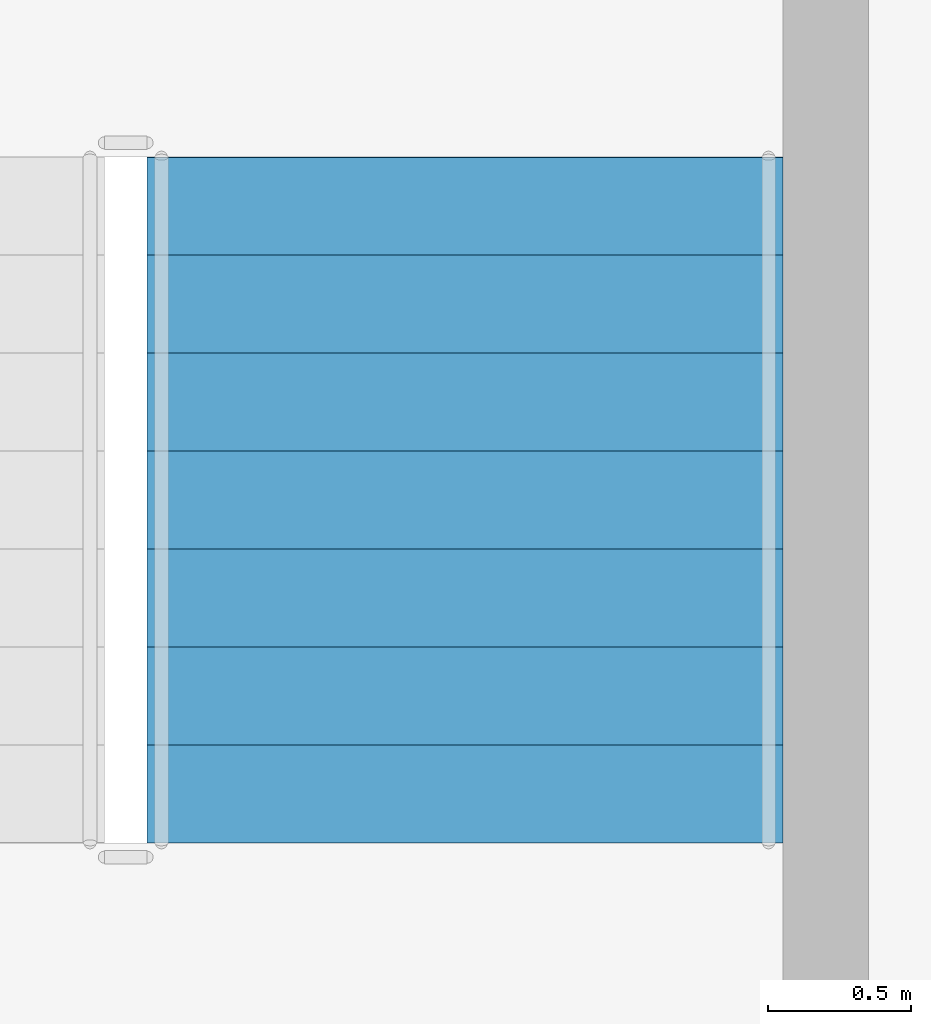
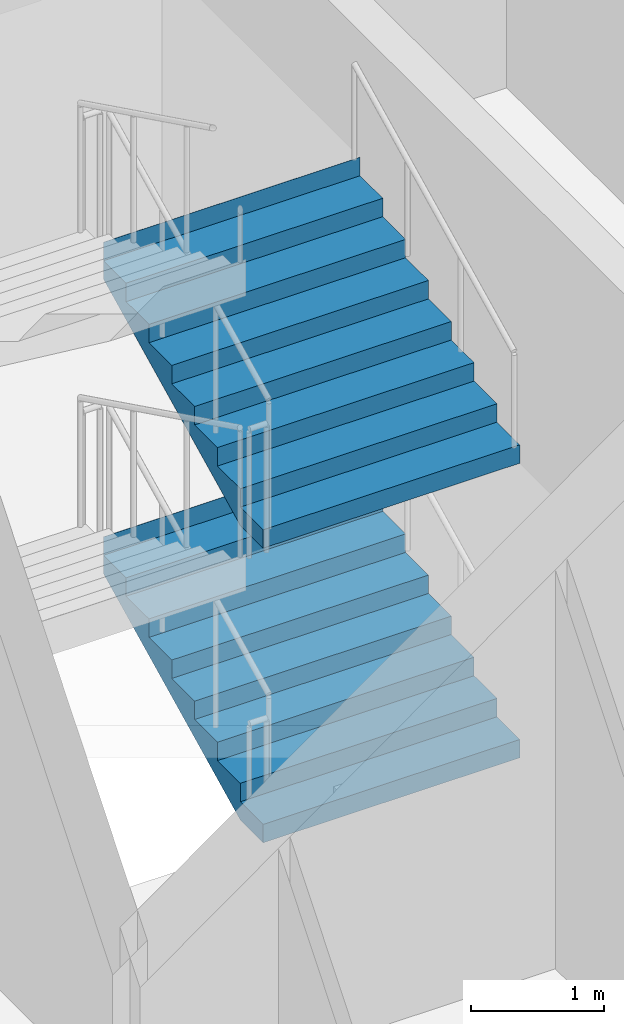
# One storey, part 37 of 42: 2 stair flights, 1 element without a shape of its own.
"""IFC4 building model written with IfcOpenShell, lengths in metres."""

import ifcopenshell
import ifcopenshell.guid

model = None  # the IFC model being written
_history = None  # IfcOwnerHistory: only IFC2X3 demands one
_inside = {}  # id of a spatial element -> (the spatial element, [elements in it])
_under = {}  # id of a project, library or spatial element -> (it, [spatial elements below it])
_declared = {}  # id of a project -> (the project, [libraries it declares])
_typed = {}  # id of a type object -> (the type object, [elements of that type])
_made_of = {}  # id of a material, layer set ... -> (it, [elements and type objects made of it])


def new_model(schema):
    """Start an empty IFC model of exactly this schema.

    Asked for "IFC4X3", IfcOpenShell would pick the latest addendum, in which some entities
    have other attributes; the version numbers below select the first issue.
    IFC2X3 requires an IfcOwnerHistory on every rooted entity: one is made here for all.
    """
    global model, _history
    if schema == "IFC4X3":
        model = ifcopenshell.file(schema_version=(4, 3, 0, 0))
    else:
        model = ifcopenshell.file(schema=schema)
    _inside.clear()
    _under.clear()
    _declared.clear()
    _typed.clear()
    _made_of.clear()
    _history = None
    if model.schema == "IFC2X3":
        org = make("IfcOrganization", Name="unknown")
        user = make(
            "IfcPersonAndOrganization",
            ThePerson=make("IfcPerson", FamilyName="unknown"),
            TheOrganization=org,
        )
        app = make(
            "IfcApplication",
            ApplicationDeveloper=org,
            Version="unknown",
            ApplicationFullName="unknown",
            ApplicationIdentifier="unknown",
        )
        _history = make(
            "IfcOwnerHistory",
            OwningUser=user,
            OwningApplication=app,
            ChangeAction="ADDED",
            CreationDate=0,
        )
    return model


def make(cls, **values):
    """One entity of the class cls with the attributes given. An attribute that is None is left unset."""
    return model.create_entity(
        cls, **{name: value for name, value in values.items() if value is not None}
    )


def rooted(cls, **values):
    """An entity with a GlobalId (a new one), such as an element, a storey or a relation."""
    return make(cls, GlobalId=ifcopenshell.guid.new(), OwnerHistory=_history, **values)


def si_unit(unit_type, name, prefix=None):
    """IfcSIUnit, for example si_unit("LENGTHUNIT", "METRE", prefix="MILLI")."""
    return make("IfcSIUnit", UnitType=unit_type, Prefix=prefix, Name=name)


def assignment(units):
    """IfcUnitAssignment: the units of a project."""
    return None if units is None else make("IfcUnitAssignment", Units=units)


def point(xyz):
    """IfcCartesianPoint."""
    return None if xyz is None else make("IfcCartesianPoint", Coordinates=xyz)


def direction(xyz):
    """IfcDirection."""
    return None if xyz is None else make("IfcDirection", DirectionRatios=xyz)


def frame(location, z_axis=None, x_axis=None):
    """IfcAxis2Placement3D, a coordinate frame: its origin and axes. An axis left out is left unset."""
    return make(
        "IfcAxis2Placement3D",
        Location=point(location),
        Axis=direction(z_axis),
        RefDirection=direction(x_axis),
    )


def origin():
    """The frame at (0, 0, 0) with its axes left unset."""
    return frame((0.0, 0.0, 0.0))


def place(relative_to, where):
    """IfcLocalPlacement: puts the frame where relative to a parent placement (None: the world)."""
    return make(
        "IfcLocalPlacement", PlacementRelTo=relative_to, RelativePlacement=where
    )


def context(
    kind, dimensions, precision=None, world=None, true_north=None, identifier=None
):
    """IfcGeometricRepresentationContext, for example the 3D "Model" context."""
    return make(
        "IfcGeometricRepresentationContext",
        ContextIdentifier=identifier,
        ContextType=kind,
        CoordinateSpaceDimension=dimensions,
        Precision=precision,
        WorldCoordinateSystem=world,
        TrueNorth=true_north,
    )


def subcontext(parent, identifier, kind, view, scale=None):
    """IfcGeometricRepresentationSubContext, for example "Body" below "Model"."""
    return make(
        "IfcGeometricRepresentationSubContext",
        ContextIdentifier=identifier,
        ContextType=kind,
        ParentContext=parent,
        TargetScale=scale,
        TargetView=view,
    )


def project(units=None, contexts=None):
    """IfcProject with its units and contexts."""
    return rooted(
        "IfcProject",
        Name="project",
        RepresentationContexts=contexts,
        UnitsInContext=assignment(units),
    )


def spatial(cls, under=None, at=None, **own):
    """A site, building, storey or space (cls), placed at a placement, below another one or the project."""
    s = rooted(cls, ObjectPlacement=at, **own)
    if under is not None:
        _under.setdefault(under.id(), (under, []))[1].append(s)
    return s


def point_list(points):
    """IfcCartesianPointList2D or 3D."""
    cls = (
        "IfcCartesianPointList2D" if len(points[0]) == 2 else "IfcCartesianPointList3D"
    )
    return make(cls, CoordList=points)


def triangles(points, corners, closed=None, point_numbers=None):
    """IfcTriangulatedFaceSet: each triangle names its three corners, points numbered from 1."""
    return make(
        "IfcTriangulatedFaceSet",
        Coordinates=point_list(points),
        Closed=closed,
        CoordIndex=corners,
        PnIndex=point_numbers,
    )


def shape(context_of_items, identifier, shape_type, items):
    """IfcShapeRepresentation: the items that make up one representation, for example the "Body"."""
    return make(
        "IfcShapeRepresentation",
        ContextOfItems=context_of_items,
        RepresentationIdentifier=identifier,
        RepresentationType=shape_type,
        Items=items,
    )


def material(Name=None, Category=None):
    """IfcMaterial."""
    return make("IfcMaterial", Name=Name, Category=Category)


def made_of(thing, what):
    """Note that an element or type object is made of a material, layer set ...; save() writes the relation."""
    if what is not None:
        _made_of.setdefault(what.id(), (what, []))[1].append(thing)
    return thing


def type_object(cls, material=None, **own):
    """A type object (cls), such as IfcWallType, which elements share."""
    return made_of(rooted(cls, **own), material)


def element(
    cls,
    number,
    at=None,
    inside=None,
    cuts=None,
    type_object=None,
    material=None,
    context=None,
    identifier="Body",
    shape_type=None,
    held_by="IfcProductDefinitionShape",
    body=None,
    shapes=None,
    **own,
):
    """One element of the class cls, such as IfcWall. Its Tag is "e" and its number.

    at: its placement. inside: the storey or other place that contains it. cuts: it is an
    opening in that element (IfcRelVoidsElement). A single representation is given by context,
    identifier, shape_type and body (its items); several are given by shapes. held_by: the class
    of the entity that holds the representations. save() writes the other relations.
    """
    e = rooted(cls, Tag="e%d" % number, ObjectPlacement=at, **own)
    if body is not None:
        shapes = [shape(context, identifier, shape_type, body)]
    if shapes is not None:
        e.Representation = make(held_by, Representations=shapes)
    if inside is not None:
        _inside.setdefault(inside.id(), (inside, []))[1].append(e)
    if cuts is not None:
        rooted(
            "IfcRelVoidsElement", RelatingBuildingElement=cuts, RelatedOpeningElement=e
        )
    if type_object is not None:
        _typed.setdefault(type_object.id(), (type_object, []))[1].append(e)
    return made_of(e, material)


def aggregate(whole, parts):
    """IfcRelAggregates: a whole, such as a stair, and the parts it consists of."""
    return rooted("IfcRelAggregates", RelatingObject=whole, RelatedObjects=parts)


def save(model, path):
    """Write the relations noted so far, then the file.

    IfcRelAggregates (storeys below a building ...), IfcRelContainedInSpatialStructure (elements
    in a storey), IfcRelDefinesByType, IfcRelAssociatesMaterial and IfcRelDeclares: one each for
    every whole, place, type object, material and project.
    """
    for whole, parts in _under.values():
        aggregate(whole, parts)
    for where, things in _inside.values():
        rooted(
            "IfcRelContainedInSpatialStructure",
            RelatedElements=things,
            RelatingStructure=where,
        )
    for kind, things in _typed.values():
        rooted("IfcRelDefinesByType", RelatedObjects=things, RelatingType=kind)
    for what, things in _made_of.values():
        rooted("IfcRelAssociatesMaterial", RelatedObjects=things, RelatingMaterial=what)
    for by, libraries in _declared.values():
        rooted("IfcRelDeclares", RelatingContext=by, RelatedDefinitions=libraries)
    model.write(path)


model = new_model("IFC4")

# Units and contexts
model_context = context("Model", 3, precision=1e-05, world=origin(), true_north=direction((0.0, 1.0)))
body_context = subcontext(model_context, "Body", "Model", "MODEL_VIEW")
ifc_project = project(units=[si_unit("LENGTHUNIT", "METRE"), si_unit("AREAUNIT", "SQUARE_METRE"), si_unit("VOLUMEUNIT", "CUBIC_METRE"), si_unit("PLANEANGLEUNIT", "RADIAN"), si_unit("MASSUNIT", "GRAM", prefix="KILO")], contexts=[model_context])

# Site, building, storey
site_placement = place(None, origin())
site = spatial("IfcSite", under=ifc_project, at=site_placement, CompositionType="ELEMENT")
building_placement = place(site_placement, origin())
building = spatial("IfcBuilding", under=site, at=building_placement, Name="Sahrelin Media Tower", CompositionType="ELEMENT")
storey_placement = place(building_placement, frame((0.0, 0.0, 26.0)))
storey = spatial("IfcBuildingStorey", under=building, at=storey_placement, Name="L03", CompositionType="ELEMENT", Elevation=26.0)

# Stair, stair flights
ifc_material = material(Name="Concrete C40/50", Category="concrete")
stair_type = type_object("IfcStairType", Name="Podium stair 2225", PredefinedType="HALF_TURN_STAIR", material=ifc_material)
stair_placement = place(storey_placement, origin())
stair = element("IfcStair", 1, at=stair_placement, inside=storey, type_object=stair_type, Name="L03 Podium stair PS2", PredefinedType="HALF_TURN_STAIR")
stair_flight_type = type_object("IfcStairFlightType", Name="Stair flight 2225", PredefinedType="STRAIGHT", material=ifc_material)
stair_flight_1_placement = place(storey_placement, frame((-9.46240234375, 30.625, 0.0), z_axis=(0.0, 0.0, 1.0), x_axis=(0.0, 1.0, 0.0)))
stair_flight_1 = element("IfcStairFlight", 2, at=stair_flight_1_placement, type_object=stair_flight_type, Name="PS2 flight 1", NumberOfRisers=8, NumberOfTreads=7, PredefinedType="STRAIGHT", RiserHeight=0.16875, TreadLength=0.342857143, context=body_context, shape_type="Tessellation", body=[
    triangles([(0.33935546875, 1.112548828125, 0.0), (0.33935546875, 0.794677734375, 0.0), (0.33935546875, 0.476806640625, 0.0), (0.33935546875, 0.158935546875, 0.0), (0.33935546875, -0.158935546875, 0.0), (0.33935546875, -0.476806640625, 0.0), (0.33935546875, -0.794677734375, 0.0), (0.33935546875, -1.112548828125, 0.0), (2.39990234375, 1.112548828125, 1.01416015625), (2.39990234375, 0.794677734375, 1.01416015625), (2.39990234375, 0.476806640625, 1.01416015625), (2.39990234375, 0.158935546875, 1.01416015625), (2.39990234375, -0.158935546875, 1.01416015625), (2.39990234375, -0.476806640625, 1.01416015625), (2.39990234375, -0.794677734375, 1.01416015625), (2.39990234375, -1.112548828125, 1.01416015625), (2.39990234375, 1.112548828125, 1.35009765625), (2.39990234375, 0.794677734375, 1.35009765625), (2.39990234375, 0.476806640625, 1.35009765625), (2.39990234375, 0.158935546875, 1.35009765625), (2.39990234375, -0.158935546875, 1.35009765625), (2.39990234375, -0.476806640625, 1.35009765625), (2.39990234375, -0.794677734375, 1.35009765625), (2.39990234375, -1.112548828125, 1.35009765625), (2.39794921875, 1.112548828125, 1.35009765625), (2.39794921875, 0.794677734375, 1.35009765625), (2.39794921875, 0.476806640625, 1.35009765625), (2.39794921875, 0.158935546875, 1.35009765625), (2.39794921875, -0.158935546875, 1.35009765625), (2.39794921875, -0.476806640625, 1.35009765625), (2.39794921875, -0.794677734375, 1.35009765625), (2.39794921875, -1.112548828125, 1.35009765625), (2.39794921875, 1.112548828125, 1.18115234375), (2.39794921875, 0.794677734375, 1.18115234375), (2.39794921875, 0.476806640625, 1.18115234375), (2.39794921875, 0.158935546875, 1.18115234375), (2.39794921875, -0.158935546875, 1.18115234375), (2.39794921875, -0.476806640625, 1.18115234375), (2.39794921875, -0.794677734375, 1.18115234375), (2.39794921875, -1.112548828125, 1.18115234375), (2.05712890625, 1.112548828125, 1.18115234375), (2.05712890625, 0.794677734375, 1.18115234375), (2.05712890625, 0.476806640625, 1.18115234375), (2.05712890625, 0.158935546875, 1.18115234375), (2.05712890625, -0.158935546875, 1.18115234375), (2.05712890625, -0.476806640625, 1.18115234375), (2.05712890625, -0.794677734375, 1.18115234375), (2.05712890625, -1.112548828125, 1.18115234375), (2.05712890625, 1.112548828125, 1.012451171875), (2.05712890625, 0.794677734375, 1.012451171875), (2.05712890625, 0.476806640625, 1.012451171875), (2.05712890625, 0.158935546875, 1.012451171875), (2.05712890625, -0.158935546875, 1.012451171875), (2.05712890625, -0.476806640625, 1.012451171875), (2.05712890625, -0.794677734375, 1.012451171875), (2.05712890625, -1.112548828125, 1.012451171875), (1.71435546875, 1.112548828125, 1.012451171875), (1.71435546875, 0.794677734375, 1.012451171875), (1.71435546875, 0.476806640625, 1.012451171875), (1.71435546875, 0.158935546875, 1.012451171875), (1.71435546875, -0.158935546875, 1.012451171875), (1.71435546875, -0.476806640625, 1.012451171875), (1.71435546875, -0.794677734375, 1.012451171875), (1.71435546875, -1.112548828125, 1.012451171875), (1.71435546875, 1.112548828125, 0.84375), (1.71435546875, 0.794677734375, 0.84375), (1.71435546875, 0.476806640625, 0.84375), (1.71435546875, 0.158935546875, 0.84375), (1.71435546875, -0.158935546875, 0.84375), (1.71435546875, -0.476806640625, 0.84375), (1.71435546875, -0.794677734375, 0.84375), (1.71435546875, -1.112548828125, 0.84375), (1.371337890625, 1.112548828125, 0.84375), (1.371337890625, 0.794677734375, 0.84375), (1.371337890625, 0.476806640625, 0.84375), (1.371337890625, 0.158935546875, 0.84375), (1.371337890625, -0.158935546875, 0.84375), (1.371337890625, -0.476806640625, 0.84375), (1.371337890625, -0.794677734375, 0.84375), (1.371337890625, -1.112548828125, 0.84375), (1.371337890625, 1.112548828125, 0.675048828125), (1.371337890625, 0.794677734375, 0.675048828125), (1.371337890625, 0.476806640625, 0.675048828125), (1.371337890625, 0.158935546875, 0.675048828125), (1.371337890625, -0.158935546875, 0.675048828125), (1.371337890625, -0.476806640625, 0.675048828125), (1.371337890625, -0.794677734375, 0.675048828125), (1.371337890625, -1.112548828125, 0.675048828125), (1.028564453125, 1.112548828125, 0.675048828125), (1.028564453125, 0.794677734375, 0.675048828125), (1.028564453125, 0.476806640625, 0.675048828125), (1.028564453125, 0.158935546875, 0.675048828125), (1.028564453125, -0.158935546875, 0.675048828125), (1.028564453125, -0.476806640625, 0.675048828125), (1.028564453125, -0.794677734375, 0.675048828125), (1.028564453125, -1.112548828125, 0.675048828125), (1.028564453125, 1.112548828125, 0.50634765625), (1.028564453125, 0.794677734375, 0.50634765625), (1.028564453125, 0.476806640625, 0.50634765625), (1.028564453125, 0.158935546875, 0.50634765625), (1.028564453125, -0.158935546875, 0.50634765625), (1.028564453125, -0.476806640625, 0.50634765625), (1.028564453125, -0.794677734375, 0.50634765625), (1.028564453125, -1.112548828125, 0.50634765625), (0.685791015625, 1.112548828125, 0.50634765625), (0.685791015625, 0.794677734375, 0.50634765625), (0.685791015625, 0.476806640625, 0.50634765625), (0.685791015625, 0.158935546875, 0.50634765625), (0.685791015625, -0.158935546875, 0.50634765625), (0.685791015625, -0.476806640625, 0.50634765625), (0.685791015625, -0.794677734375, 0.50634765625), (0.685791015625, -1.112548828125, 0.50634765625), (0.685791015625, 1.112548828125, 0.33740234375), (0.685791015625, 0.794677734375, 0.33740234375), (0.685791015625, 0.476806640625, 0.33740234375), (0.685791015625, 0.158935546875, 0.33740234375), (0.685791015625, -0.158935546875, 0.33740234375), (0.685791015625, -0.476806640625, 0.33740234375), (0.685791015625, -0.794677734375, 0.33740234375), (0.685791015625, -1.112548828125, 0.33740234375), (0.3427734375, 1.112548828125, 0.33740234375), (0.3427734375, 0.794677734375, 0.33740234375), (0.3427734375, 0.476806640625, 0.33740234375), (0.3427734375, 0.158935546875, 0.33740234375), (0.3427734375, -0.158935546875, 0.33740234375), (0.3427734375, -0.476806640625, 0.33740234375), (0.3427734375, -0.794677734375, 0.33740234375), (0.3427734375, -1.112548828125, 0.33740234375), (0.3427734375, 1.112548828125, 0.168701171875), (0.3427734375, 0.794677734375, 0.168701171875), (0.3427734375, 0.476806640625, 0.168701171875), (0.3427734375, 0.158935546875, 0.168701171875), (0.3427734375, -0.158935546875, 0.168701171875), (0.3427734375, -0.476806640625, 0.168701171875), (0.3427734375, -0.794677734375, 0.168701171875), (0.3427734375, -1.112548828125, 0.168701171875), (0.0, 1.112548828125, 0.168701171875), (0.0, 0.794677734375, 0.168701171875), (0.0, 0.476806640625, 0.168701171875), (0.0, 0.158935546875, 0.168701171875), (0.0, -0.158935546875, 0.168701171875), (0.0, -0.476806640625, 0.168701171875), (0.0, -0.794677734375, 0.168701171875), (0.0, -1.112548828125, 0.168701171875), (0.0, 1.112548828125, 0.0), (0.0, 0.794677734375, 0.0), (0.0, 0.476806640625, 0.0), (0.0, 0.158935546875, 0.0), (0.0, -0.158935546875, 0.0), (0.0, -0.476806640625, 0.0), (0.0, -0.794677734375, 0.0), (0.0, -1.112548828125, 0.0)], [[1, 9, 10], [1, 10, 2], [2, 10, 11], [2, 11, 3], [3, 11, 12], [3, 12, 4], [4, 12, 13], [4, 13, 5], [5, 13, 14], [5, 14, 6], [6, 14, 15], [6, 15, 7], [7, 15, 16], [7, 16, 8], [9, 17, 18], [9, 18, 10], [10, 18, 19], [10, 19, 11], [11, 19, 20], [11, 20, 12], [12, 20, 21], [12, 21, 13], [13, 21, 22], [13, 22, 14], [14, 22, 23], [14, 23, 15], [15, 23, 24], [15, 24, 16], [17, 25, 26], [17, 26, 18], [18, 26, 27], [18, 27, 19], [19, 27, 28], [19, 28, 20], [20, 28, 29], [20, 29, 21], [21, 29, 30], [21, 30, 22], [22, 30, 31], [22, 31, 23], [23, 31, 32], [23, 32, 24], [25, 33, 34], [25, 34, 26], [26, 34, 35], [26, 35, 27], [27, 35, 36], [27, 36, 28], [28, 36, 37], [28, 37, 29], [29, 37, 38], [29, 38, 30], [30, 38, 39], [30, 39, 31], [31, 39, 40], [31, 40, 32], [33, 41, 42], [33, 42, 34], [34, 42, 43], [34, 43, 35], [35, 43, 44], [35, 44, 36], [36, 44, 45], [36, 45, 37], [37, 45, 46], [37, 46, 38], [38, 46, 47], [38, 47, 39], [39, 47, 48], [39, 48, 40], [41, 49, 50], [41, 50, 42], [42, 50, 51], [42, 51, 43], [43, 51, 52], [43, 52, 44], [44, 52, 53], [44, 53, 45], [45, 53, 54], [45, 54, 46], [46, 54, 55], [46, 55, 47], [47, 55, 56], [47, 56, 48], [49, 57, 58], [49, 58, 50], [50, 58, 59], [50, 59, 51], [51, 59, 60], [51, 60, 52], [52, 60, 61], [52, 61, 53], [53, 61, 62], [53, 62, 54], [54, 62, 63], [54, 63, 55], [55, 63, 64], [55, 64, 56], [57, 65, 66], [57, 66, 58], [58, 66, 67], [58, 67, 59], [59, 67, 68], [59, 68, 60], [60, 68, 69], [60, 69, 61], [61, 69, 70], [61, 70, 62], [62, 70, 71], [62, 71, 63], [63, 71, 72], [63, 72, 64], [65, 73, 74], [65, 74, 66], [66, 74, 75], [66, 75, 67], [67, 75, 76], [67, 76, 68], [68, 76, 77], [68, 77, 69], [69, 77, 78], [69, 78, 70], [70, 78, 79], [70, 79, 71], [71, 79, 80], [71, 80, 72], [73, 81, 82], [73, 82, 74], [74, 82, 83], [74, 83, 75], [75, 83, 84], [75, 84, 76], [76, 84, 85], [76, 85, 77], [77, 85, 86], [77, 86, 78], [78, 86, 87], [78, 87, 79], [79, 87, 88], [79, 88, 80], [81, 89, 90], [81, 90, 82], [82, 90, 91], [82, 91, 83], [83, 91, 92], [83, 92, 84], [84, 92, 93], [84, 93, 85], [85, 93, 94], [85, 94, 86], [86, 94, 95], [86, 95, 87], [87, 95, 96], [87, 96, 88], [89, 97, 98], [89, 98, 90], [90, 98, 99], [90, 99, 91], [91, 99, 100], [91, 100, 92], [92, 100, 101], [92, 101, 93], [93, 101, 102], [93, 102, 94], [94, 102, 103], [94, 103, 95], [95, 103, 104], [95, 104, 96], [97, 105, 106], [97, 106, 98], [98, 106, 107], [98, 107, 99], [99, 107, 108], [99, 108, 100], [100, 108, 109], [100, 109, 101], [101, 109, 110], [101, 110, 102], [102, 110, 111], [102, 111, 103], [103, 111, 112], [103, 112, 104], [105, 113, 114], [105, 114, 106], [106, 114, 115], [106, 115, 107], [107, 115, 116], [107, 116, 108], [108, 116, 117], [108, 117, 109], [109, 117, 118], [109, 118, 110], [110, 118, 119], [110, 119, 111], [111, 119, 120], [111, 120, 112], [113, 121, 122], [113, 122, 114], [114, 122, 123], [114, 123, 115], [115, 123, 124], [115, 124, 116], [116, 124, 125], [116, 125, 117], [117, 125, 126], [117, 126, 118], [118, 126, 127], [118, 127, 119], [119, 127, 128], [119, 128, 120], [121, 129, 130], [121, 130, 122], [122, 130, 131], [122, 131, 123], [123, 131, 132], [123, 132, 124], [124, 132, 133], [124, 133, 125], [125, 133, 134], [125, 134, 126], [126, 134, 135], [126, 135, 127], [127, 135, 136], [127, 136, 128], [129, 137, 138], [129, 138, 130], [130, 138, 139], [130, 139, 131], [131, 139, 140], [131, 140, 132], [132, 140, 141], [132, 141, 133], [133, 141, 142], [133, 142, 134], [134, 142, 143], [134, 143, 135], [135, 143, 144], [135, 144, 136], [137, 145, 146], [137, 146, 138], [138, 146, 147], [138, 147, 139], [139, 147, 148], [139, 148, 140], [140, 148, 149], [140, 149, 141], [141, 149, 150], [141, 150, 142], [142, 150, 151], [142, 151, 143], [143, 151, 152], [143, 152, 144], [145, 1, 2], [145, 2, 146], [146, 2, 3], [146, 3, 147], [147, 3, 4], [147, 4, 148], [148, 4, 5], [148, 5, 149], [149, 5, 6], [149, 6, 150], [150, 6, 7], [150, 7, 151], [151, 7, 8], [151, 8, 152], [8, 144, 152], [1, 145, 137], [136, 120, 128], [129, 121, 113], [120, 104, 112], [113, 105, 97], [104, 88, 96], [97, 89, 81], [88, 72, 80], [81, 73, 65], [72, 56, 64], [65, 57, 49], [56, 40, 48], [49, 41, 33], [40, 24, 32], [33, 25, 17], [8, 136, 144], [1, 137, 129], [8, 88, 104], [1, 97, 81], [40, 16, 24], [33, 17, 9], [120, 136, 8], [113, 1, 129], [16, 72, 88], [9, 81, 65], [56, 16, 40], [49, 33, 9], [104, 120, 8], [97, 1, 113], [72, 16, 56], [65, 49, 9], [8, 16, 88], [1, 81, 9]], closed=True),
])
stair_flight_2_placement = place(storey_placement, frame((-9.46240234375, 30.625, 2.699951171875), z_axis=(0.0, 0.0, 1.0), x_axis=(0.0, 1.0, 0.0)))
stair_flight_2 = element("IfcStairFlight", 3, at=stair_flight_2_placement, type_object=stair_flight_type, Name="PS2 flight 3", NumberOfRisers=8, NumberOfTreads=7, PredefinedType="STRAIGHT", RiserHeight=0.16875, TreadLength=0.342857143, context=body_context, shape_type="Tessellation", body=[
    triangles([(0.33935546875, 1.112548828125, 0.0), (0.33935546875, 0.794677734375, 0.0), (0.33935546875, 0.476806640625, 0.0), (0.33935546875, 0.158935546875, 0.0), (0.33935546875, -0.158935546875, 0.0), (0.33935546875, -0.476806640625, 0.0), (0.33935546875, -0.794677734375, 0.0), (0.33935546875, -1.112548828125, 0.0), (2.39990234375, 1.112548828125, 1.01416015625), (2.39990234375, 0.794677734375, 1.01416015625), (2.39990234375, 0.476806640625, 1.01416015625), (2.39990234375, 0.158935546875, 1.01416015625), (2.39990234375, -0.158935546875, 1.01416015625), (2.39990234375, -0.476806640625, 1.01416015625), (2.39990234375, -0.794677734375, 1.01416015625), (2.39990234375, -1.112548828125, 1.01416015625), (2.39990234375, 1.112548828125, 1.35009765625), (2.39990234375, 0.794677734375, 1.35009765625), (2.39990234375, 0.476806640625, 1.35009765625), (2.39990234375, 0.158935546875, 1.35009765625), (2.39990234375, -0.158935546875, 1.35009765625), (2.39990234375, -0.476806640625, 1.35009765625), (2.39990234375, -0.794677734375, 1.35009765625), (2.39990234375, -1.112548828125, 1.35009765625), (2.39794921875, 1.112548828125, 1.35009765625), (2.39794921875, 0.794677734375, 1.35009765625), (2.39794921875, 0.476806640625, 1.35009765625), (2.39794921875, 0.158935546875, 1.35009765625), (2.39794921875, -0.158935546875, 1.35009765625), (2.39794921875, -0.476806640625, 1.35009765625), (2.39794921875, -0.794677734375, 1.35009765625), (2.39794921875, -1.112548828125, 1.35009765625), (2.39794921875, 1.112548828125, 1.18115234375), (2.39794921875, 0.794677734375, 1.18115234375), (2.39794921875, 0.476806640625, 1.18115234375), (2.39794921875, 0.158935546875, 1.18115234375), (2.39794921875, -0.158935546875, 1.18115234375), (2.39794921875, -0.476806640625, 1.18115234375), (2.39794921875, -0.794677734375, 1.18115234375), (2.39794921875, -1.112548828125, 1.18115234375), (2.05712890625, 1.112548828125, 1.18115234375), (2.05712890625, 0.794677734375, 1.18115234375), (2.05712890625, 0.476806640625, 1.18115234375), (2.05712890625, 0.158935546875, 1.18115234375), (2.05712890625, -0.158935546875, 1.18115234375), (2.05712890625, -0.476806640625, 1.18115234375), (2.05712890625, -0.794677734375, 1.18115234375), (2.05712890625, -1.112548828125, 1.18115234375), (2.05712890625, 1.112548828125, 1.012451171875), (2.05712890625, 0.794677734375, 1.012451171875), (2.05712890625, 0.476806640625, 1.012451171875), (2.05712890625, 0.158935546875, 1.012451171875), (2.05712890625, -0.158935546875, 1.012451171875), (2.05712890625, -0.476806640625, 1.012451171875), (2.05712890625, -0.794677734375, 1.012451171875), (2.05712890625, -1.112548828125, 1.012451171875), (1.71435546875, 1.112548828125, 1.012451171875), (1.71435546875, 0.794677734375, 1.012451171875), (1.71435546875, 0.476806640625, 1.012451171875), (1.71435546875, 0.158935546875, 1.012451171875), (1.71435546875, -0.158935546875, 1.012451171875), (1.71435546875, -0.476806640625, 1.012451171875), (1.71435546875, -0.794677734375, 1.012451171875), (1.71435546875, -1.112548828125, 1.012451171875), (1.71435546875, 1.112548828125, 0.84375), (1.71435546875, 0.794677734375, 0.84375), (1.71435546875, 0.476806640625, 0.84375), (1.71435546875, 0.158935546875, 0.84375), (1.71435546875, -0.158935546875, 0.84375), (1.71435546875, -0.476806640625, 0.84375), (1.71435546875, -0.794677734375, 0.84375), (1.71435546875, -1.112548828125, 0.84375), (1.371337890625, 1.112548828125, 0.84375), (1.371337890625, 0.794677734375, 0.84375), (1.371337890625, 0.476806640625, 0.84375), (1.371337890625, 0.158935546875, 0.84375), (1.371337890625, -0.158935546875, 0.84375), (1.371337890625, -0.476806640625, 0.84375), (1.371337890625, -0.794677734375, 0.84375), (1.371337890625, -1.112548828125, 0.84375), (1.371337890625, 1.112548828125, 0.675048828125), (1.371337890625, 0.794677734375, 0.675048828125), (1.371337890625, 0.476806640625, 0.675048828125), (1.371337890625, 0.158935546875, 0.675048828125), (1.371337890625, -0.158935546875, 0.675048828125), (1.371337890625, -0.476806640625, 0.675048828125), (1.371337890625, -0.794677734375, 0.675048828125), (1.371337890625, -1.112548828125, 0.675048828125), (1.028564453125, 1.112548828125, 0.675048828125), (1.028564453125, 0.794677734375, 0.675048828125), (1.028564453125, 0.476806640625, 0.675048828125), (1.028564453125, 0.158935546875, 0.675048828125), (1.028564453125, -0.158935546875, 0.675048828125), (1.028564453125, -0.476806640625, 0.675048828125), (1.028564453125, -0.794677734375, 0.675048828125), (1.028564453125, -1.112548828125, 0.675048828125), (1.028564453125, 1.112548828125, 0.50634765625), (1.028564453125, 0.794677734375, 0.50634765625), (1.028564453125, 0.476806640625, 0.50634765625), (1.028564453125, 0.158935546875, 0.50634765625), (1.028564453125, -0.158935546875, 0.50634765625), (1.028564453125, -0.476806640625, 0.50634765625), (1.028564453125, -0.794677734375, 0.50634765625), (1.028564453125, -1.112548828125, 0.50634765625), (0.685791015625, 1.112548828125, 0.50634765625), (0.685791015625, 0.794677734375, 0.50634765625), (0.685791015625, 0.476806640625, 0.50634765625), (0.685791015625, 0.158935546875, 0.50634765625), (0.685791015625, -0.158935546875, 0.50634765625), (0.685791015625, -0.476806640625, 0.50634765625), (0.685791015625, -0.794677734375, 0.50634765625), (0.685791015625, -1.112548828125, 0.50634765625), (0.685791015625, 1.112548828125, 0.33740234375), (0.685791015625, 0.794677734375, 0.33740234375), (0.685791015625, 0.476806640625, 0.33740234375), (0.685791015625, 0.158935546875, 0.33740234375), (0.685791015625, -0.158935546875, 0.33740234375), (0.685791015625, -0.476806640625, 0.33740234375), (0.685791015625, -0.794677734375, 0.33740234375), (0.685791015625, -1.112548828125, 0.33740234375), (0.3427734375, 1.112548828125, 0.33740234375), (0.3427734375, 0.794677734375, 0.33740234375), (0.3427734375, 0.476806640625, 0.33740234375), (0.3427734375, 0.158935546875, 0.33740234375), (0.3427734375, -0.158935546875, 0.33740234375), (0.3427734375, -0.476806640625, 0.33740234375), (0.3427734375, -0.794677734375, 0.33740234375), (0.3427734375, -1.112548828125, 0.33740234375), (0.3427734375, 1.112548828125, 0.168701171875), (0.3427734375, 0.794677734375, 0.168701171875), (0.3427734375, 0.476806640625, 0.168701171875), (0.3427734375, 0.158935546875, 0.168701171875), (0.3427734375, -0.158935546875, 0.168701171875), (0.3427734375, -0.476806640625, 0.168701171875), (0.3427734375, -0.794677734375, 0.168701171875), (0.3427734375, -1.112548828125, 0.168701171875), (0.0, 1.112548828125, 0.168701171875), (0.0, 0.794677734375, 0.168701171875), (0.0, 0.476806640625, 0.168701171875), (0.0, 0.158935546875, 0.168701171875), (0.0, -0.158935546875, 0.168701171875), (0.0, -0.476806640625, 0.168701171875), (0.0, -0.794677734375, 0.168701171875), (0.0, -1.112548828125, 0.168701171875), (0.0, 1.112548828125, 0.0), (0.0, 0.794677734375, 0.0), (0.0, 0.476806640625, 0.0), (0.0, 0.158935546875, 0.0), (0.0, -0.158935546875, 0.0), (0.0, -0.476806640625, 0.0), (0.0, -0.794677734375, 0.0), (0.0, -1.112548828125, 0.0)], [[1, 9, 10], [1, 10, 2], [2, 10, 11], [2, 11, 3], [3, 11, 12], [3, 12, 4], [4, 12, 13], [4, 13, 5], [5, 13, 14], [5, 14, 6], [6, 14, 15], [6, 15, 7], [7, 15, 16], [7, 16, 8], [9, 17, 18], [9, 18, 10], [10, 18, 19], [10, 19, 11], [11, 19, 20], [11, 20, 12], [12, 20, 21], [12, 21, 13], [13, 21, 22], [13, 22, 14], [14, 22, 23], [14, 23, 15], [15, 23, 24], [15, 24, 16], [17, 25, 26], [17, 26, 18], [18, 26, 27], [18, 27, 19], [19, 27, 28], [19, 28, 20], [20, 28, 29], [20, 29, 21], [21, 29, 30], [21, 30, 22], [22, 30, 31], [22, 31, 23], [23, 31, 32], [23, 32, 24], [25, 33, 34], [25, 34, 26], [26, 34, 35], [26, 35, 27], [27, 35, 36], [27, 36, 28], [28, 36, 37], [28, 37, 29], [29, 37, 38], [29, 38, 30], [30, 38, 39], [30, 39, 31], [31, 39, 40], [31, 40, 32], [33, 41, 42], [33, 42, 34], [34, 42, 43], [34, 43, 35], [35, 43, 44], [35, 44, 36], [36, 44, 45], [36, 45, 37], [37, 45, 46], [37, 46, 38], [38, 46, 47], [38, 47, 39], [39, 47, 48], [39, 48, 40], [41, 49, 50], [41, 50, 42], [42, 50, 51], [42, 51, 43], [43, 51, 52], [43, 52, 44], [44, 52, 53], [44, 53, 45], [45, 53, 54], [45, 54, 46], [46, 54, 55], [46, 55, 47], [47, 55, 56], [47, 56, 48], [49, 57, 58], [49, 58, 50], [50, 58, 59], [50, 59, 51], [51, 59, 60], [51, 60, 52], [52, 60, 61], [52, 61, 53], [53, 61, 62], [53, 62, 54], [54, 62, 63], [54, 63, 55], [55, 63, 64], [55, 64, 56], [57, 65, 66], [57, 66, 58], [58, 66, 67], [58, 67, 59], [59, 67, 68], [59, 68, 60], [60, 68, 69], [60, 69, 61], [61, 69, 70], [61, 70, 62], [62, 70, 71], [62, 71, 63], [63, 71, 72], [63, 72, 64], [65, 73, 74], [65, 74, 66], [66, 74, 75], [66, 75, 67], [67, 75, 76], [67, 76, 68], [68, 76, 77], [68, 77, 69], [69, 77, 78], [69, 78, 70], [70, 78, 79], [70, 79, 71], [71, 79, 80], [71, 80, 72], [73, 81, 82], [73, 82, 74], [74, 82, 83], [74, 83, 75], [75, 83, 84], [75, 84, 76], [76, 84, 85], [76, 85, 77], [77, 85, 86], [77, 86, 78], [78, 86, 87], [78, 87, 79], [79, 87, 88], [79, 88, 80], [81, 89, 90], [81, 90, 82], [82, 90, 91], [82, 91, 83], [83, 91, 92], [83, 92, 84], [84, 92, 93], [84, 93, 85], [85, 93, 94], [85, 94, 86], [86, 94, 95], [86, 95, 87], [87, 95, 96], [87, 96, 88], [89, 97, 98], [89, 98, 90], [90, 98, 99], [90, 99, 91], [91, 99, 100], [91, 100, 92], [92, 100, 101], [92, 101, 93], [93, 101, 102], [93, 102, 94], [94, 102, 103], [94, 103, 95], [95, 103, 104], [95, 104, 96], [97, 105, 106], [97, 106, 98], [98, 106, 107], [98, 107, 99], [99, 107, 108], [99, 108, 100], [100, 108, 109], [100, 109, 101], [101, 109, 110], [101, 110, 102], [102, 110, 111], [102, 111, 103], [103, 111, 112], [103, 112, 104], [105, 113, 114], [105, 114, 106], [106, 114, 115], [106, 115, 107], [107, 115, 116], [107, 116, 108], [108, 116, 117], [108, 117, 109], [109, 117, 118], [109, 118, 110], [110, 118, 119], [110, 119, 111], [111, 119, 120], [111, 120, 112], [113, 121, 122], [113, 122, 114], [114, 122, 123], [114, 123, 115], [115, 123, 124], [115, 124, 116], [116, 124, 125], [116, 125, 117], [117, 125, 126], [117, 126, 118], [118, 126, 127], [118, 127, 119], [119, 127, 128], [119, 128, 120], [121, 129, 130], [121, 130, 122], [122, 130, 131], [122, 131, 123], [123, 131, 132], [123, 132, 124], [124, 132, 133], [124, 133, 125], [125, 133, 134], [125, 134, 126], [126, 134, 135], [126, 135, 127], [127, 135, 136], [127, 136, 128], [129, 137, 138], [129, 138, 130], [130, 138, 139], [130, 139, 131], [131, 139, 140], [131, 140, 132], [132, 140, 141], [132, 141, 133], [133, 141, 142], [133, 142, 134], [134, 142, 143], [134, 143, 135], [135, 143, 144], [135, 144, 136], [137, 145, 146], [137, 146, 138], [138, 146, 147], [138, 147, 139], [139, 147, 148], [139, 148, 140], [140, 148, 149], [140, 149, 141], [141, 149, 150], [141, 150, 142], [142, 150, 151], [142, 151, 143], [143, 151, 152], [143, 152, 144], [145, 1, 2], [145, 2, 146], [146, 2, 3], [146, 3, 147], [147, 3, 4], [147, 4, 148], [148, 4, 5], [148, 5, 149], [149, 5, 6], [149, 6, 150], [150, 6, 7], [150, 7, 151], [151, 7, 8], [151, 8, 152], [8, 144, 152], [1, 145, 137], [136, 120, 128], [129, 121, 113], [120, 104, 112], [113, 105, 97], [104, 88, 96], [97, 89, 81], [88, 72, 80], [81, 73, 65], [72, 56, 64], [65, 57, 49], [56, 40, 48], [49, 41, 33], [40, 24, 32], [33, 25, 17], [8, 136, 144], [1, 137, 129], [8, 88, 104], [1, 97, 81], [40, 16, 24], [33, 17, 9], [120, 136, 8], [113, 1, 129], [16, 72, 88], [9, 81, 65], [56, 16, 40], [49, 33, 9], [104, 120, 8], [97, 1, 113], [72, 16, 56], [65, 49, 9], [8, 16, 88], [1, 81, 9]], closed=True),
])
aggregate(stair, [stair_flight_1, stair_flight_2])

save(model, "model.ifc")
